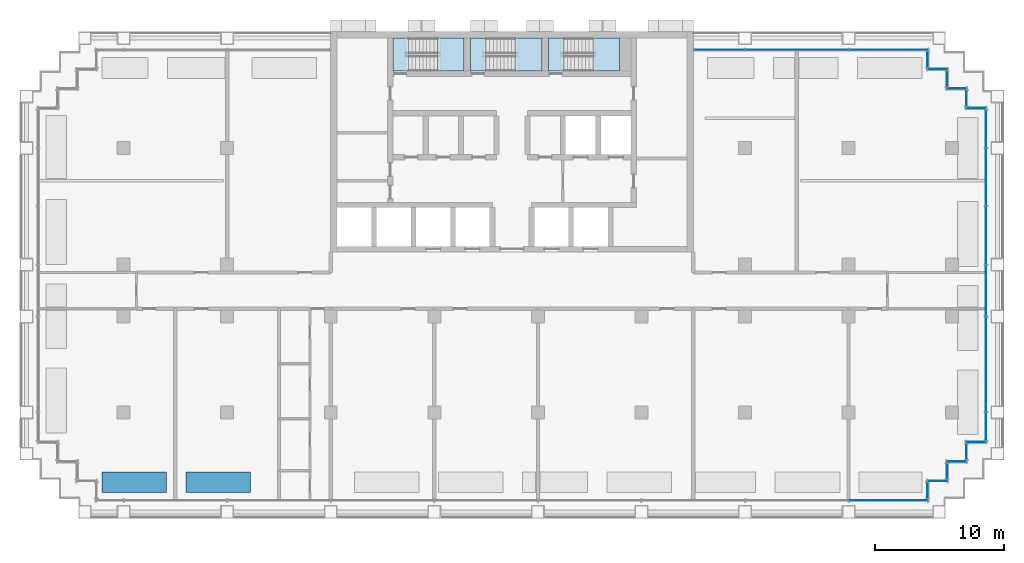
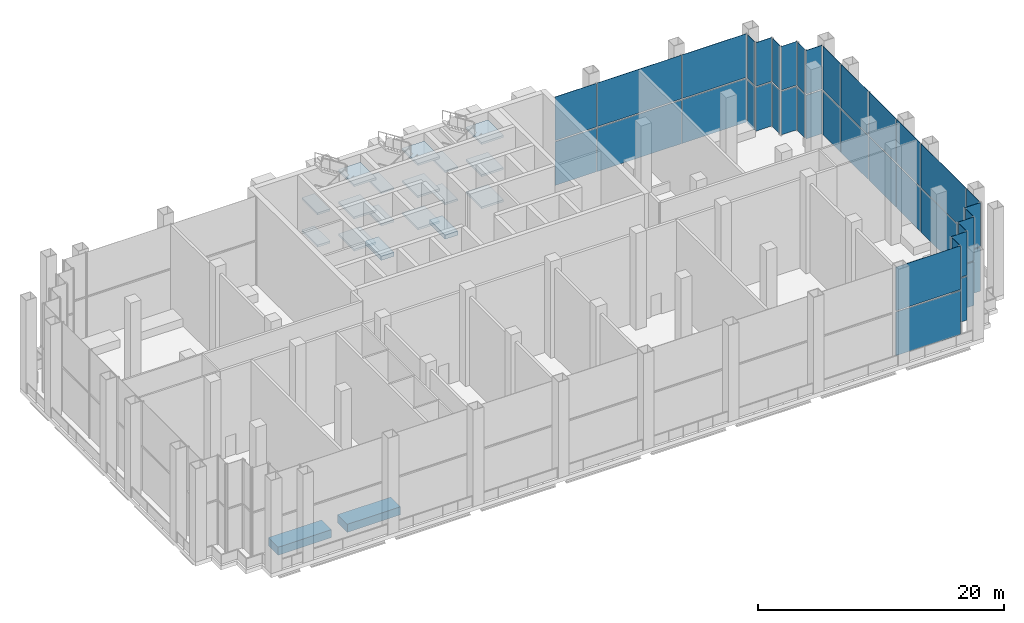
# One storey, part 8 of 16: 44 plates, 17 slabs, 2 walls, 18 elements without a shape of their own.
"""IFC4 building model written with IfcOpenShell, lengths in metres."""

from ifc_helpers import new_model, si_unit, direction, frame, frame_2d, origin, origin_2d, place, context, subcontext, project, spatial, polyline, rectangle, outline, extrude, material, layer, layer_set, type_object, element, aggregate, save


model = new_model("IFC4")

# Units and contexts
model_context = context("Model", 3, precision=1e-05, world=origin(), true_north=direction((0.0, 1.0)))
body_context = subcontext(model_context, "Body", "Model", "MODEL_VIEW")
ifc_project = project(units=[si_unit("LENGTHUNIT", "METRE"), si_unit("AREAUNIT", "SQUARE_METRE"), si_unit("VOLUMEUNIT", "CUBIC_METRE"), si_unit("PLANEANGLEUNIT", "RADIAN"), si_unit("MASSUNIT", "GRAM", prefix="KILO")], contexts=[model_context])

# Site, building, storey
site_placement = place(None, origin())
site = spatial("IfcSite", under=ifc_project, at=site_placement, CompositionType="ELEMENT")
building_placement = place(site_placement, origin())
building = spatial("IfcBuilding", under=site, at=building_placement, Name="Vidyagriha Tower", CompositionType="ELEMENT")
storey_placement = place(building_placement, frame((0.0, 0.0, 64.0)))
storey = spatial("IfcBuildingStorey", under=building, at=storey_placement, Name="L17", CompositionType="ELEMENT", Elevation=64.0)

# Slabs
ifc_material_1 = material(Name="Concrete C40/50", Category="concrete")
ifc_layer_1 = layer(ifc_material_1, 0.39990234375)
ifc_layer_set_1 = layer_set([ifc_layer_1], Name="Concrete C40/50")
slab_type_1 = type_object("IfcSlabType", Name="Exit stair floor landing 400 mm", PredefinedType="LANDING", material=ifc_layer_set_1)
slab_1_placement = place(storey_placement, frame((0.0, 0.0, -0.39990234375)))
element("IfcSlab", 1, at=slab_1_placement, inside=storey, type_object=slab_type_1, Name="ST2 floor landing L17", PredefinedType="LANDING", context=body_context, shape_type="SweptSolid", body=[
    extrude(outline(polyline([(-3.199951171875, 16.949951171875), (-2.0, 16.949951171875), (-2.0, 19.5), (-3.199951171875, 19.5), (-3.199951171875, 16.949951171875)])), origin(), (0.0, 0.0, 1.0), 0.39990234375),
])
slab_2_placement = place(storey_placement, frame((0.0, 0.0, -0.39990234375)))
element("IfcSlab", 2, at=slab_2_placement, inside=storey, type_object=slab_type_1, Name="ST3 floor landing L17", PredefinedType="LANDING", context=body_context, shape_type="SweptSolid", body=[
    extrude(outline(polyline([(2.800048828125, 16.949951171875), (4.0, 16.949951171875), (4.0, 19.5), (2.800048828125, 19.5), (2.800048828125, 16.949951171875)])), origin(), (0.0, 0.0, 1.0), 0.39990234375),
])

# Stair, slabs
ifc_material_2 = material(Name="Concrete C40/50", Category="concrete")
stair_type = type_object("IfcStairType", Name="Exit stair, half-turn, precast flights", PredefinedType="HALF_TURN_STAIR", material=ifc_material_2)
stair_1_placement = place(storey_placement, origin())
stair_1 = element("IfcStair", 3, at=stair_1_placement, inside=storey, type_object=stair_type, Name="L17 Exit Stair ST1", PredefinedType="HALF_TURN_STAIR")
ifc_material_3 = material(Name="Concrete C40/50", Category="concrete")
ifc_layer_2 = layer(ifc_material_3, 0.199951171875)
ifc_layer_set_2 = layer_set([ifc_layer_2], Name="Concrete C40/50")
slab_type_2 = type_object("IfcSlabType", Name="Exit stair landing 200 mm", PredefinedType="LANDING", material=ifc_layer_set_2)
slab_3_placement = place(storey_placement, frame((0.0, 0.0, 1.39990234375)))
slab_3 = element("IfcSlab", 4, at=slab_3_placement, type_object=slab_type_2, Name="ST1 landing 1", PredefinedType="LANDING", context=body_context, shape_type="SweptSolid", body=[
    extrude(outline(polyline([(-5.760009765625, 16.949951171875), (-3.699951171875, 16.949951171875), (-3.699951171875, 19.5), (-5.760009765625, 19.5), (-5.760009765625, 16.949951171875)])), origin(), (0.0, 0.0, 1.0), 0.2001953125),
])
slab_4_placement = place(storey_placement, frame((0.0, 0.0, 3.0)))
slab_4 = element("IfcSlab", 5, at=slab_4_placement, type_object=slab_type_2, Name="ST1 landing 2", PredefinedType="LANDING", context=body_context, shape_type="SweptSolid", body=[
    extrude(outline(polyline([(-9.199951171875, 16.949951171875), (-8.0, 16.949951171875), (-8.0, 19.5), (-9.199951171875, 19.5), (-9.199951171875, 16.949951171875)])), origin(), (0.0, 0.0, 1.0), 0.199951171875),
])
slab_5_placement = place(storey_placement, frame((0.0, 0.0, 4.60009765625)))
slab_5 = element("IfcSlab", 6, at=slab_5_placement, type_object=slab_type_2, Name="ST1 landing 3", PredefinedType="LANDING", context=body_context, shape_type="SweptSolid", body=[
    extrude(outline(polyline([(-5.760009765625, 16.949951171875), (-3.699951171875, 16.949951171875), (-3.699951171875, 19.5), (-5.760009765625, 19.5), (-5.760009765625, 16.949951171875)])), origin(), (0.0, 0.0, 1.0), 0.199951171875),
])
slab_6_placement = place(storey_placement, frame((0.0, 0.0, 6.199951171875)))
slab_6 = element("IfcSlab", 7, at=slab_6_placement, type_object=slab_type_2, Name="ST1 landing 4", PredefinedType="LANDING", context=body_context, shape_type="SweptSolid", body=[
    extrude(outline(polyline([(-9.199951171875, 16.949951171875), (-8.0, 16.949951171875), (-8.0, 19.5), (-9.199951171875, 19.5), (-9.199951171875, 16.949951171875)])), origin(), (0.0, 0.0, 1.0), 0.199951171875),
])
slab_7_placement = place(storey_placement, frame((0.0, 0.0, 7.800048828125)))
slab_7 = element("IfcSlab", 8, at=slab_7_placement, type_object=slab_type_2, Name="ST1 landing 5", PredefinedType="LANDING", context=body_context, shape_type="SweptSolid", body=[
    extrude(outline(polyline([(-5.760009765625, 16.949951171875), (-3.699951171875, 16.949951171875), (-3.699951171875, 19.5), (-5.760009765625, 19.5), (-5.760009765625, 16.949951171875)])), origin(), (0.0, 0.0, 1.0), 0.199951171875),
])
aggregate(stair_1, [slab_3, slab_4, slab_5, slab_6, slab_7])

stair_2_placement = place(storey_placement, origin())
stair_2 = element("IfcStair", 9, at=stair_2_placement, inside=storey, type_object=stair_type, Name="L17 Exit Stair ST2", PredefinedType="HALF_TURN_STAIR")
slab_8_placement = place(storey_placement, frame((0.0, 0.0, 1.39990234375)))
slab_8 = element("IfcSlab", 10, at=slab_8_placement, type_object=slab_type_2, Name="ST2 landing 1", PredefinedType="LANDING", context=body_context, shape_type="SweptSolid", body=[
    extrude(outline(polyline([(0.239990234375, 16.949951171875), (2.300048828125, 16.949951171875), (2.300048828125, 19.5), (0.239990234375, 19.5), (0.239990234375, 16.949951171875)])), origin(), (0.0, 0.0, 1.0), 0.2001953125),
])
slab_9_placement = place(storey_placement, frame((0.0, 0.0, 3.0)))
slab_9 = element("IfcSlab", 11, at=slab_9_placement, type_object=slab_type_2, Name="ST2 landing 2", PredefinedType="LANDING", context=body_context, shape_type="SweptSolid", body=[
    extrude(outline(polyline([(-3.199951171875, 16.949951171875), (-2.0, 16.949951171875), (-2.0, 19.5), (-3.199951171875, 19.5), (-3.199951171875, 16.949951171875)])), origin(), (0.0, 0.0, 1.0), 0.199951171875),
])
slab_10_placement = place(storey_placement, frame((0.0, 0.0, 4.60009765625)))
slab_10 = element("IfcSlab", 12, at=slab_10_placement, type_object=slab_type_2, Name="ST2 landing 3", PredefinedType="LANDING", context=body_context, shape_type="SweptSolid", body=[
    extrude(outline(polyline([(0.239990234375, 16.949951171875), (2.300048828125, 16.949951171875), (2.300048828125, 19.5), (0.239990234375, 19.5), (0.239990234375, 16.949951171875)])), origin(), (0.0, 0.0, 1.0), 0.199951171875),
])
slab_11_placement = place(storey_placement, frame((0.0, 0.0, 6.199951171875)))
slab_11 = element("IfcSlab", 13, at=slab_11_placement, type_object=slab_type_2, Name="ST2 landing 4", PredefinedType="LANDING", context=body_context, shape_type="SweptSolid", body=[
    extrude(outline(polyline([(-3.199951171875, 16.949951171875), (-2.0, 16.949951171875), (-2.0, 19.5), (-3.199951171875, 19.5), (-3.199951171875, 16.949951171875)])), origin(), (0.0, 0.0, 1.0), 0.199951171875),
])
slab_12_placement = place(storey_placement, frame((0.0, 0.0, 7.800048828125)))
slab_12 = element("IfcSlab", 14, at=slab_12_placement, type_object=slab_type_2, Name="ST2 landing 5", PredefinedType="LANDING", context=body_context, shape_type="SweptSolid", body=[
    extrude(outline(polyline([(0.239990234375, 16.949951171875), (2.300048828125, 16.949951171875), (2.300048828125, 19.5), (0.239990234375, 19.5), (0.239990234375, 16.949951171875)])), origin(), (0.0, 0.0, 1.0), 0.199951171875),
])
aggregate(stair_2, [slab_8, slab_9, slab_10, slab_11, slab_12])

stair_3_placement = place(storey_placement, origin())
stair_3 = element("IfcStair", 15, at=stair_3_placement, inside=storey, type_object=stair_type, Name="L17 Exit Stair ST3", PredefinedType="HALF_TURN_STAIR")
slab_13_placement = place(storey_placement, frame((0.0, 0.0, 1.39990234375)))
slab_13 = element("IfcSlab", 16, at=slab_13_placement, type_object=slab_type_2, Name="ST3 landing 1", PredefinedType="LANDING", context=body_context, shape_type="SweptSolid", body=[
    extrude(outline(polyline([(6.239990234375, 16.949951171875), (8.300048828125, 16.949951171875), (8.300048828125, 19.5), (6.239990234375, 19.5), (6.239990234375, 16.949951171875)])), origin(), (0.0, 0.0, 1.0), 0.2001953125),
])
slab_14_placement = place(storey_placement, frame((0.0, 0.0, 3.0)))
slab_14 = element("IfcSlab", 17, at=slab_14_placement, type_object=slab_type_2, Name="ST3 landing 2", PredefinedType="LANDING", context=body_context, shape_type="SweptSolid", body=[
    extrude(outline(polyline([(2.800048828125, 16.949951171875), (4.0, 16.949951171875), (4.0, 19.5), (2.800048828125, 19.5), (2.800048828125, 16.949951171875)])), origin(), (0.0, 0.0, 1.0), 0.199951171875),
])
slab_15_placement = place(storey_placement, frame((0.0, 0.0, 4.60009765625)))
slab_15 = element("IfcSlab", 18, at=slab_15_placement, type_object=slab_type_2, Name="ST3 landing 3", PredefinedType="LANDING", context=body_context, shape_type="SweptSolid", body=[
    extrude(outline(polyline([(6.239990234375, 16.949951171875), (8.300048828125, 16.949951171875), (8.300048828125, 19.5), (6.239990234375, 19.5), (6.239990234375, 16.949951171875)])), origin(), (0.0, 0.0, 1.0), 0.199951171875),
])
slab_16_placement = place(storey_placement, frame((0.0, 0.0, 6.199951171875)))
slab_16 = element("IfcSlab", 19, at=slab_16_placement, type_object=slab_type_2, Name="ST3 landing 4", PredefinedType="LANDING", context=body_context, shape_type="SweptSolid", body=[
    extrude(outline(polyline([(2.800048828125, 16.949951171875), (4.0, 16.949951171875), (4.0, 19.5), (2.800048828125, 19.5), (2.800048828125, 16.949951171875)])), origin(), (0.0, 0.0, 1.0), 0.199951171875),
])
slab_17_placement = place(storey_placement, frame((0.0, 0.0, 7.800048828125)))
slab_17 = element("IfcSlab", 20, at=slab_17_placement, type_object=slab_type_2, Name="ST3 landing 5", PredefinedType="LANDING", context=body_context, shape_type="SweptSolid", body=[
    extrude(outline(polyline([(6.239990234375, 16.949951171875), (8.300048828125, 16.949951171875), (8.300048828125, 19.5), (6.239990234375, 19.5), (6.239990234375, 16.949951171875)])), origin(), (0.0, 0.0, 1.0), 0.199951171875),
])
aggregate(stair_3, [slab_13, slab_14, slab_15, slab_16, slab_17])

# Curtain wall, plates
ifc_material_4 = material(Name="Aluminium and glass curtain wall", Category="aluminium")
curtain_wall_type = type_object("IfcCurtainWallType", Name="Winter garden glazing wall", PredefinedType="USERDEFINED", material=ifc_material_4)
curtain_wall_1_placement = place(storey_placement, origin())
curtain_wall_1 = element("IfcCurtainWall", 21, at=curtain_wall_1_placement, inside=storey, type_object=curtain_wall_type, Name="CW3 winter garden glazing", ObjectType="STICK GLAZING", PredefinedType="USERDEFINED")
ifc_material_5 = material(Name="Laminated green-tint solar-control glass", Category="glass")
ifc_layer_3 = layer(ifc_material_5, 0.031982421875)
ifc_layer_set_3 = layer_set([ifc_layer_3], Name="Laminated green-tint solar-control glass")
plate_type = type_object("IfcPlateType", Name="Green-tint winter garden glass panel", PredefinedType="CURTAIN_PANEL", material=ifc_layer_set_3)
plate_1_placement = place(storey_placement, frame((35.85009765625, 14.10009765625, 0.0), z_axis=(0.0, 0.0, 1.0), x_axis=(-1.0, 0.0, 0.0)))
plate_1 = element("IfcPlate", 22, at=plate_1_placement, type_object=plate_type, Name="CW3 panel 1.1", PredefinedType="CURTAIN_PANEL", context=body_context, shape_type="SweptSolid", body=[
    extrude(rectangle(XDim=1.5, YDim=0.031982421875, at=origin_2d()), origin(), (0.0, 0.0, 1.0), 4.340087890625),
])
plate_2_placement = place(storey_placement, frame((35.85009765625, 14.10009765625, 4.4599609375), z_axis=(0.0, 0.0, 1.0), x_axis=(-1.0, 0.0, 0.0)))
plate_2 = element("IfcPlate", 23, at=plate_2_placement, type_object=plate_type, Name="CW3 panel 1.2", PredefinedType="CURTAIN_PANEL", context=body_context, shape_type="SweptSolid", body=[
    extrude(rectangle(XDim=1.5, YDim=0.031982421875, at=origin_2d()), origin(), (0.0, 0.0, 1.0), 4.340087890625),
])
aggregate(curtain_wall_1, [plate_1, plate_2])

curtain_wall_2_placement = place(storey_placement, origin())
curtain_wall_2 = element("IfcCurtainWall", 24, at=curtain_wall_2_placement, inside=storey, type_object=curtain_wall_type, Name="CW3 winter garden glazing", ObjectType="STICK GLAZING", PredefinedType="USERDEFINED")
plate_3_placement = place(storey_placement, frame((35.10009765625, 14.85009765625, 0.0), z_axis=(0.0, 0.0, 1.0), x_axis=(0.0, 1.0, 0.0)))
plate_3 = element("IfcPlate", 25, at=plate_3_placement, type_object=plate_type, Name="CW3 panel 1.1", PredefinedType="CURTAIN_PANEL", context=body_context, shape_type="SweptSolid", body=[
    extrude(rectangle(XDim=1.179931640625, YDim=0.031982421875, at=origin_2d()), origin(), (0.0, 0.0, 1.0), 4.340087890625),
])
plate_4_placement = place(storey_placement, frame((35.10009765625, 14.85009765625, 4.4599609375), z_axis=(0.0, 0.0, 1.0), x_axis=(0.0, 1.0, 0.0)))
plate_4 = element("IfcPlate", 26, at=plate_4_placement, type_object=plate_type, Name="CW3 panel 1.2", PredefinedType="CURTAIN_PANEL", context=body_context, shape_type="SweptSolid", body=[
    extrude(rectangle(XDim=1.179931640625, YDim=0.031982421875, at=origin_2d()), origin(), (0.0, 0.0, 1.0), 4.340087890625),
])
aggregate(curtain_wall_2, [plate_3, plate_4])

curtain_wall_3_placement = place(storey_placement, origin())
curtain_wall_3 = element("IfcCurtainWall", 27, at=curtain_wall_3_placement, inside=storey, type_object=curtain_wall_type, Name="CW3 winter garden glazing", ObjectType="STICK GLAZING", PredefinedType="USERDEFINED")
plate_5_placement = place(storey_placement, frame((34.35009765625, 15.60009765625, 0.0), z_axis=(0.0, 0.0, 1.0), x_axis=(-1.0, 0.0, 0.0)))
plate_5 = element("IfcPlate", 28, at=plate_5_placement, type_object=plate_type, Name="CW3 panel 1.1", PredefinedType="CURTAIN_PANEL", context=body_context, shape_type="SweptSolid", body=[
    extrude(rectangle(XDim=1.5, YDim=0.031982421875, at=origin_2d()), origin(), (0.0, 0.0, 1.0), 4.340087890625),
])
plate_6_placement = place(storey_placement, frame((34.35009765625, 15.60009765625, 4.4599609375), z_axis=(0.0, 0.0, 1.0), x_axis=(-1.0, 0.0, 0.0)))
plate_6 = element("IfcPlate", 29, at=plate_6_placement, type_object=plate_type, Name="CW3 panel 1.2", PredefinedType="CURTAIN_PANEL", context=body_context, shape_type="SweptSolid", body=[
    extrude(rectangle(XDim=1.5, YDim=0.031982421875, at=origin_2d()), origin(), (0.0, 0.0, 1.0), 4.340087890625),
])
aggregate(curtain_wall_3, [plate_5, plate_6])

curtain_wall_4_placement = place(storey_placement, origin())
curtain_wall_4 = element("IfcCurtainWall", 30, at=curtain_wall_4_placement, inside=storey, type_object=curtain_wall_type, Name="CW3 winter garden glazing", ObjectType="STICK GLAZING", PredefinedType="USERDEFINED")
plate_7_placement = place(storey_placement, frame((33.60009765625, 16.35009765625, 0.0), z_axis=(0.0, 0.0, 1.0), x_axis=(0.0, 1.0, 0.0)))
plate_7 = element("IfcPlate", 31, at=plate_7_placement, type_object=plate_type, Name="CW3 panel 1.1", PredefinedType="CURTAIN_PANEL", context=body_context, shape_type="SweptSolid", body=[
    extrude(rectangle(XDim=1.179931640625, YDim=0.031982421875, at=origin_2d()), origin(), (0.0, 0.0, 1.0), 4.340087890625),
])
plate_8_placement = place(storey_placement, frame((33.60009765625, 16.35009765625, 4.4599609375), z_axis=(0.0, 0.0, 1.0), x_axis=(0.0, 1.0, 0.0)))
plate_8 = element("IfcPlate", 32, at=plate_8_placement, type_object=plate_type, Name="CW3 panel 1.2", PredefinedType="CURTAIN_PANEL", context=body_context, shape_type="SweptSolid", body=[
    extrude(rectangle(XDim=1.179931640625, YDim=0.031982421875, at=origin_2d()), origin(), (0.0, 0.0, 1.0), 4.340087890625),
])
aggregate(curtain_wall_4, [plate_7, plate_8])

curtain_wall_5_placement = place(storey_placement, origin())
curtain_wall_5 = element("IfcCurtainWall", 33, at=curtain_wall_5_placement, inside=storey, type_object=curtain_wall_type, Name="CW3 winter garden glazing", ObjectType="STICK GLAZING", PredefinedType="USERDEFINED")
plate_9_placement = place(storey_placement, frame((32.85009765625, 17.10009765625, 0.0), z_axis=(0.0, 0.0, 1.0), x_axis=(-1.0, 0.0, 0.0)))
plate_9 = element("IfcPlate", 34, at=plate_9_placement, type_object=plate_type, Name="CW3 panel 1.1", PredefinedType="CURTAIN_PANEL", context=body_context, shape_type="SweptSolid", body=[
    extrude(rectangle(XDim=1.5, YDim=0.031982421875, at=origin_2d()), origin(), (0.0, 0.0, 1.0), 4.340087890625),
])
plate_10_placement = place(storey_placement, frame((32.85009765625, 17.10009765625, 4.4599609375), z_axis=(0.0, 0.0, 1.0), x_axis=(-1.0, 0.0, 0.0)))
plate_10 = element("IfcPlate", 35, at=plate_10_placement, type_object=plate_type, Name="CW3 panel 1.2", PredefinedType="CURTAIN_PANEL", context=body_context, shape_type="SweptSolid", body=[
    extrude(rectangle(XDim=1.5, YDim=0.031982421875, at=origin_2d()), origin(), (0.0, 0.0, 1.0), 4.340087890625),
])
aggregate(curtain_wall_5, [plate_9, plate_10])

curtain_wall_6_placement = place(storey_placement, origin())
curtain_wall_6 = element("IfcCurtainWall", 36, at=curtain_wall_6_placement, inside=storey, type_object=curtain_wall_type, Name="CW3 winter garden glazing", ObjectType="STICK GLAZING", PredefinedType="USERDEFINED")
plate_11_placement = place(storey_placement, frame((32.10009765625, 17.85009765625, 0.0), z_axis=(0.0, 0.0, 1.0), x_axis=(0.0, 1.0, 0.0)))
plate_11 = element("IfcPlate", 37, at=plate_11_placement, type_object=plate_type, Name="CW3 panel 1.1", PredefinedType="CURTAIN_PANEL", context=body_context, shape_type="SweptSolid", body=[
    extrude(rectangle(XDim=1.179931640625, YDim=0.031982421875, at=origin_2d()), origin(), (0.0, 0.0, 1.0), 4.340087890625),
])
plate_12_placement = place(storey_placement, frame((32.10009765625, 17.85009765625, 4.4599609375), z_axis=(0.0, 0.0, 1.0), x_axis=(0.0, 1.0, 0.0)))
plate_12 = element("IfcPlate", 38, at=plate_12_placement, type_object=plate_type, Name="CW3 panel 1.2", PredefinedType="CURTAIN_PANEL", context=body_context, shape_type="SweptSolid", body=[
    extrude(rectangle(XDim=1.179931640625, YDim=0.031982421875, at=origin_2d()), origin(), (0.0, 0.0, 1.0), 4.340087890625),
])
aggregate(curtain_wall_6, [plate_11, plate_12])

curtain_wall_7_placement = place(storey_placement, origin())
curtain_wall_7 = element("IfcCurtainWall", 39, at=curtain_wall_7_placement, inside=storey, type_object=curtain_wall_type, Name="CW3 winter garden glazing", ObjectType="STICK GLAZING", PredefinedType="USERDEFINED")
plate_13_placement = place(storey_placement, frame((29.070068359375, 18.60009765625, 0.0), z_axis=(0.0, 0.0, 1.0), x_axis=(-1.0, 0.0, 0.0)))
plate_13 = element("IfcPlate", 40, at=plate_13_placement, type_object=plate_type, Name="CW3 panel 1.1", PredefinedType="CURTAIN_PANEL", context=body_context, shape_type="SweptSolid", body=[
    extrude(rectangle(XDim=6.06005859375, YDim=0.031982421875, at=origin_2d()), origin(), (0.0, 0.0, 1.0), 4.340087890625),
])
plate_14_placement = place(storey_placement, frame((29.070068359375, 18.60009765625, 4.4599609375), z_axis=(0.0, 0.0, 1.0), x_axis=(-1.0, 0.0, 0.0)))
plate_14 = element("IfcPlate", 41, at=plate_14_placement, type_object=plate_type, Name="CW3 panel 1.2", PredefinedType="CURTAIN_PANEL", context=body_context, shape_type="SweptSolid", body=[
    extrude(rectangle(XDim=6.06005859375, YDim=0.031982421875, at=origin_2d()), origin(), (0.0, 0.0, 1.0), 4.340087890625),
])
plate_15_placement = place(storey_placement, frame((22.0, 18.60009765625, 0.0), z_axis=(0.0, 0.0, 1.0), x_axis=(-1.0, 0.0, 0.0)))
plate_15 = element("IfcPlate", 42, at=plate_15_placement, type_object=plate_type, Name="CW3 panel 2.1", PredefinedType="CURTAIN_PANEL", context=body_context, shape_type="SweptSolid", body=[
    extrude(rectangle(XDim=7.919921875, YDim=0.031982421875, at=origin_2d()), origin(), (0.0, 0.0, 1.0), 4.340087890625),
])
plate_16_placement = place(storey_placement, frame((22.0, 18.60009765625, 4.4599609375), z_axis=(0.0, 0.0, 1.0), x_axis=(-1.0, 0.0, 0.0)))
plate_16 = element("IfcPlate", 43, at=plate_16_placement, type_object=plate_type, Name="CW3 panel 2.2", PredefinedType="CURTAIN_PANEL", context=body_context, shape_type="SweptSolid", body=[
    extrude(rectangle(XDim=7.919921875, YDim=0.031982421875, at=origin_2d()), origin(), (0.0, 0.0, 1.0), 4.340087890625),
])
plate_17_placement = place(storey_placement, frame((16.02001953125, 18.60009765625, 0.0), z_axis=(0.0, 0.0, 1.0), x_axis=(-1.0, 0.0, 0.0)))
plate_17 = element("IfcPlate", 44, at=plate_17_placement, type_object=plate_type, Name="CW3 panel 3.1", PredefinedType="CURTAIN_PANEL", context=body_context, shape_type="SweptSolid", body=[
    extrude(rectangle(XDim=3.8798828125, YDim=0.031982421875, at=origin_2d()), origin(), (0.0, 0.0, 1.0), 4.340087890625),
])
plate_18_placement = place(storey_placement, frame((16.02001953125, 18.60009765625, 4.4599609375), z_axis=(0.0, 0.0, 1.0), x_axis=(-1.0, 0.0, 0.0)))
plate_18 = element("IfcPlate", 45, at=plate_18_placement, type_object=plate_type, Name="CW3 panel 3.2", PredefinedType="CURTAIN_PANEL", context=body_context, shape_type="SweptSolid", body=[
    extrude(rectangle(XDim=3.8798828125, YDim=0.031982421875, at=origin_2d()), origin(), (0.0, 0.0, 1.0), 4.340087890625),
])
aggregate(curtain_wall_7, [plate_13, plate_14, plate_15, plate_16, plate_17, plate_18])

curtain_wall_8_placement = place(storey_placement, origin())
curtain_wall_8 = element("IfcCurtainWall", 46, at=curtain_wall_8_placement, inside=storey, type_object=curtain_wall_type, Name="CW3 winter garden glazing", ObjectType="STICK GLAZING", PredefinedType="USERDEFINED")
plate_19_placement = place(storey_placement, frame((29.070068359375, -16.199951171875, 0.0)))
plate_19 = element("IfcPlate", 47, at=plate_19_placement, type_object=plate_type, Name="CW3 panel 9.1", PredefinedType="CURTAIN_PANEL", context=body_context, shape_type="SweptSolid", body=[
    extrude(rectangle(XDim=6.06005859375, YDim=0.031982421875, at=origin_2d()), origin(), (0.0, 0.0, 1.0), 4.340087890625),
])
plate_20_placement = place(storey_placement, frame((29.070068359375, -16.199951171875, 4.4599609375)))
plate_20 = element("IfcPlate", 48, at=plate_20_placement, type_object=plate_type, Name="CW3 panel 9.2", PredefinedType="CURTAIN_PANEL", context=body_context, shape_type="SweptSolid", body=[
    extrude(rectangle(XDim=6.06005859375, YDim=0.031982421875, at=origin_2d()), origin(), (0.0, 0.0, 1.0), 4.340087890625),
])
aggregate(curtain_wall_8, [plate_19, plate_20])

curtain_wall_9_placement = place(storey_placement, origin())
curtain_wall_9 = element("IfcCurtainWall", 49, at=curtain_wall_9_placement, inside=storey, type_object=curtain_wall_type, Name="CW3 winter garden glazing", ObjectType="STICK GLAZING", PredefinedType="USERDEFINED")
plate_21_placement = place(storey_placement, frame((32.10009765625, -15.449951171875, 0.0), z_axis=(0.0, 0.0, 1.0), x_axis=(0.0, 1.0, 0.0)))
plate_21 = element("IfcPlate", 50, at=plate_21_placement, type_object=plate_type, Name="CW3 panel 1.1", PredefinedType="CURTAIN_PANEL", context=body_context, shape_type="SweptSolid", body=[
    extrude(rectangle(XDim=1.179931640625, YDim=0.031982421875, at=origin_2d()), origin(), (0.0, 0.0, 1.0), 4.340087890625),
])
plate_22_placement = place(storey_placement, frame((32.10009765625, -15.449951171875, 4.4599609375), z_axis=(0.0, 0.0, 1.0), x_axis=(0.0, 1.0, 0.0)))
plate_22 = element("IfcPlate", 51, at=plate_22_placement, type_object=plate_type, Name="CW3 panel 1.2", PredefinedType="CURTAIN_PANEL", context=body_context, shape_type="SweptSolid", body=[
    extrude(rectangle(XDim=1.179931640625, YDim=0.031982421875, at=origin_2d()), origin(), (0.0, 0.0, 1.0), 4.340087890625),
])
aggregate(curtain_wall_9, [plate_21, plate_22])

curtain_wall_10_placement = place(storey_placement, origin())
curtain_wall_10 = element("IfcCurtainWall", 52, at=curtain_wall_10_placement, inside=storey, type_object=curtain_wall_type, Name="CW3 winter garden glazing", ObjectType="STICK GLAZING", PredefinedType="USERDEFINED")
plate_23_placement = place(storey_placement, frame((32.85009765625, -14.699951171875, 0.0)))
plate_23 = element("IfcPlate", 53, at=plate_23_placement, type_object=plate_type, Name="CW3 panel 1.1", PredefinedType="CURTAIN_PANEL", context=body_context, shape_type="SweptSolid", body=[
    extrude(rectangle(XDim=1.5, YDim=0.031982421875, at=origin_2d()), origin(), (0.0, 0.0, 1.0), 4.340087890625),
])
plate_24_placement = place(storey_placement, frame((32.85009765625, -14.699951171875, 4.4599609375)))
plate_24 = element("IfcPlate", 54, at=plate_24_placement, type_object=plate_type, Name="CW3 panel 1.2", PredefinedType="CURTAIN_PANEL", context=body_context, shape_type="SweptSolid", body=[
    extrude(rectangle(XDim=1.5, YDim=0.031982421875, at=origin_2d()), origin(), (0.0, 0.0, 1.0), 4.340087890625),
])
aggregate(curtain_wall_10, [plate_23, plate_24])

curtain_wall_11_placement = place(storey_placement, origin())
curtain_wall_11 = element("IfcCurtainWall", 55, at=curtain_wall_11_placement, inside=storey, type_object=curtain_wall_type, Name="CW3 winter garden glazing", ObjectType="STICK GLAZING", PredefinedType="USERDEFINED")
plate_25_placement = place(storey_placement, frame((33.60009765625, -13.949951171875, 0.0), z_axis=(0.0, 0.0, 1.0), x_axis=(0.0, 1.0, 0.0)))
plate_25 = element("IfcPlate", 56, at=plate_25_placement, type_object=plate_type, Name="CW3 panel 1.1", PredefinedType="CURTAIN_PANEL", context=body_context, shape_type="SweptSolid", body=[
    extrude(rectangle(XDim=1.179931640625, YDim=0.031982421875, at=origin_2d()), origin(), (0.0, 0.0, 1.0), 4.340087890625),
])
plate_26_placement = place(storey_placement, frame((33.60009765625, -13.949951171875, 4.4599609375), z_axis=(0.0, 0.0, 1.0), x_axis=(0.0, 1.0, 0.0)))
plate_26 = element("IfcPlate", 57, at=plate_26_placement, type_object=plate_type, Name="CW3 panel 1.2", PredefinedType="CURTAIN_PANEL", context=body_context, shape_type="SweptSolid", body=[
    extrude(rectangle(XDim=1.179931640625, YDim=0.031982421875, at=origin_2d()), origin(), (0.0, 0.0, 1.0), 4.340087890625),
])
aggregate(curtain_wall_11, [plate_25, plate_26])

curtain_wall_12_placement = place(storey_placement, origin())
curtain_wall_12 = element("IfcCurtainWall", 58, at=curtain_wall_12_placement, inside=storey, type_object=curtain_wall_type, Name="CW3 winter garden glazing", ObjectType="STICK GLAZING", PredefinedType="USERDEFINED")
plate_27_placement = place(storey_placement, frame((34.35009765625, -13.199951171875, 0.0)))
plate_27 = element("IfcPlate", 59, at=plate_27_placement, type_object=plate_type, Name="CW3 panel 1.1", PredefinedType="CURTAIN_PANEL", context=body_context, shape_type="SweptSolid", body=[
    extrude(rectangle(XDim=1.5, YDim=0.031982421875, at=origin_2d()), origin(), (0.0, 0.0, 1.0), 4.340087890625),
])
plate_28_placement = place(storey_placement, frame((34.35009765625, -13.199951171875, 4.4599609375)))
plate_28 = element("IfcPlate", 60, at=plate_28_placement, type_object=plate_type, Name="CW3 panel 1.2", PredefinedType="CURTAIN_PANEL", context=body_context, shape_type="SweptSolid", body=[
    extrude(rectangle(XDim=1.5, YDim=0.031982421875, at=origin_2d()), origin(), (0.0, 0.0, 1.0), 4.340087890625),
])
aggregate(curtain_wall_12, [plate_27, plate_28])

curtain_wall_13_placement = place(storey_placement, origin())
curtain_wall_13 = element("IfcCurtainWall", 61, at=curtain_wall_13_placement, inside=storey, type_object=curtain_wall_type, Name="CW3 winter garden glazing", ObjectType="STICK GLAZING", PredefinedType="USERDEFINED")
plate_29_placement = place(storey_placement, frame((35.10009765625, -12.449951171875, 0.0), z_axis=(0.0, 0.0, 1.0), x_axis=(0.0, 1.0, 0.0)))
plate_29 = element("IfcPlate", 62, at=plate_29_placement, type_object=plate_type, Name="CW3 panel 1.1", PredefinedType="CURTAIN_PANEL", context=body_context, shape_type="SweptSolid", body=[
    extrude(rectangle(XDim=1.179931640625, YDim=0.031982421875, at=origin_2d()), origin(), (0.0, 0.0, 1.0), 4.340087890625),
])
plate_30_placement = place(storey_placement, frame((35.10009765625, -12.449951171875, 4.4599609375), z_axis=(0.0, 0.0, 1.0), x_axis=(0.0, 1.0, 0.0)))
plate_30 = element("IfcPlate", 63, at=plate_30_placement, type_object=plate_type, Name="CW3 panel 1.2", PredefinedType="CURTAIN_PANEL", context=body_context, shape_type="SweptSolid", body=[
    extrude(rectangle(XDim=1.179931640625, YDim=0.031982421875, at=origin_2d()), origin(), (0.0, 0.0, 1.0), 4.340087890625),
])
aggregate(curtain_wall_13, [plate_29, plate_30])

curtain_wall_14_placement = place(storey_placement, origin())
curtain_wall_14 = element("IfcCurtainWall", 64, at=curtain_wall_14_placement, inside=storey, type_object=curtain_wall_type, Name="CW3 winter garden glazing", ObjectType="STICK GLAZING", PredefinedType="USERDEFINED")
plate_31_placement = place(storey_placement, frame((35.85009765625, -11.699951171875, 0.0)))
plate_31 = element("IfcPlate", 65, at=plate_31_placement, type_object=plate_type, Name="CW3 panel 1.1", PredefinedType="CURTAIN_PANEL", context=body_context, shape_type="SweptSolid", body=[
    extrude(rectangle(XDim=1.5, YDim=0.031982421875, at=origin_2d()), origin(), (0.0, 0.0, 1.0), 4.340087890625),
])
plate_32_placement = place(storey_placement, frame((35.85009765625, -11.699951171875, 4.4599609375)))
plate_32 = element("IfcPlate", 66, at=plate_32_placement, type_object=plate_type, Name="CW3 panel 1.2", PredefinedType="CURTAIN_PANEL", context=body_context, shape_type="SweptSolid", body=[
    extrude(rectangle(XDim=1.5, YDim=0.031982421875, at=origin_2d()), origin(), (0.0, 0.0, 1.0), 4.340087890625),
])
aggregate(curtain_wall_14, [plate_31, plate_32])

curtain_wall_15_placement = place(storey_placement, origin())
curtain_wall_15 = element("IfcCurtainWall", 67, at=curtain_wall_15_placement, inside=storey, type_object=curtain_wall_type, Name="CW3 winter garden glazing", ObjectType="STICK GLAZING", PredefinedType="USERDEFINED")
plate_33_placement = place(storey_placement, frame((36.60009765625, -10.489990234375, 0.0), z_axis=(0.0, 0.0, 1.0), x_axis=(0.0, 1.0, 0.0)))
plate_33 = element("IfcPlate", 68, at=plate_33_placement, type_object=plate_type, Name="CW3 panel 1.1", PredefinedType="CURTAIN_PANEL", context=body_context, shape_type="SweptSolid", body=[
    extrude(rectangle(XDim=2.10009765625, YDim=0.031982421875, at=origin_2d()), origin(), (0.0, 0.0, 1.0), 4.340087890625),
])
plate_34_placement = place(storey_placement, frame((36.60009765625, -10.489990234375, 4.4599609375), z_axis=(0.0, 0.0, 1.0), x_axis=(0.0, 1.0, 0.0)))
plate_34 = element("IfcPlate", 69, at=plate_34_placement, type_object=plate_type, Name="CW3 panel 1.2", PredefinedType="CURTAIN_PANEL", context=body_context, shape_type="SweptSolid", body=[
    extrude(rectangle(XDim=2.10009765625, YDim=0.031982421875, at=origin_2d()), origin(), (0.0, 0.0, 1.0), 4.340087890625),
])
plate_35_placement = place(storey_placement, frame((36.60009765625, -5.699951171875, 0.0), z_axis=(0.0, 0.0, 1.0), x_axis=(0.0, 1.0, 0.0)))
plate_35 = element("IfcPlate", 70, at=plate_35_placement, type_object=plate_type, Name="CW3 panel 2.1", PredefinedType="CURTAIN_PANEL", context=body_context, shape_type="SweptSolid", body=[
    extrude(rectangle(XDim=7.320068359375, YDim=0.031982421875, at=origin_2d()), origin(), (0.0, 0.0, 1.0), 4.340087890625),
])
plate_36_placement = place(storey_placement, frame((36.60009765625, -5.699951171875, 4.4599609375), z_axis=(0.0, 0.0, 1.0), x_axis=(0.0, 1.0, 0.0)))
plate_36 = element("IfcPlate", 71, at=plate_36_placement, type_object=plate_type, Name="CW3 panel 2.2", PredefinedType="CURTAIN_PANEL", context=body_context, shape_type="SweptSolid", body=[
    extrude(rectangle(XDim=7.320068359375, YDim=0.031982421875, at=origin_2d()), origin(), (0.0, 0.0, 1.0), 4.340087890625),
])
plate_37_placement = place(storey_placement, frame((36.60009765625, 0.0, 0.0), z_axis=(0.0, 0.0, 1.0), x_axis=(0.0, 1.0, 0.0)))
plate_37 = element("IfcPlate", 72, at=plate_37_placement, type_object=plate_type, Name="CW3 panel 3.1", PredefinedType="CURTAIN_PANEL", context=body_context, shape_type="SweptSolid", body=[
    extrude(rectangle(XDim=3.919921875, YDim=0.031982421875, at=origin_2d()), origin(), (0.0, 0.0, 1.0), 4.340087890625),
])
plate_38_placement = place(storey_placement, frame((36.60009765625, 0.0, 4.4599609375), z_axis=(0.0, 0.0, 1.0), x_axis=(0.0, 1.0, 0.0)))
plate_38 = element("IfcPlate", 73, at=plate_38_placement, type_object=plate_type, Name="CW3 panel 3.2", PredefinedType="CURTAIN_PANEL", context=body_context, shape_type="SweptSolid", body=[
    extrude(rectangle(XDim=3.919921875, YDim=0.031982421875, at=origin_2d()), origin(), (0.0, 0.0, 1.0), 4.340087890625),
])
plate_39_placement = place(storey_placement, frame((36.60009765625, 4.25, 0.0), z_axis=(0.0, 0.0, 1.0), x_axis=(0.0, 1.0, 0.0)))
plate_39 = element("IfcPlate", 74, at=plate_39_placement, type_object=plate_type, Name="CW3 panel 4.1", PredefinedType="CURTAIN_PANEL", context=body_context, shape_type="SweptSolid", body=[
    extrude(rectangle(XDim=4.419921875, YDim=0.031982421875, at=origin_2d()), origin(), (0.0, 0.0, 1.0), 4.340087890625),
])
plate_40_placement = place(storey_placement, frame((36.60009765625, 4.25, 4.4599609375), z_axis=(0.0, 0.0, 1.0), x_axis=(0.0, 1.0, 0.0)))
plate_40 = element("IfcPlate", 75, at=plate_40_placement, type_object=plate_type, Name="CW3 panel 4.2", PredefinedType="CURTAIN_PANEL", context=body_context, shape_type="SweptSolid", body=[
    extrude(rectangle(XDim=4.419921875, YDim=0.031982421875, at=origin_2d()), origin(), (0.0, 0.0, 1.0), 4.340087890625),
])
plate_41_placement = place(storey_placement, frame((36.60009765625, 8.75, 0.0), z_axis=(0.0, 0.0, 1.0), x_axis=(0.0, 1.0, 0.0)))
plate_41 = element("IfcPlate", 76, at=plate_41_placement, type_object=plate_type, Name="CW3 panel 5.1", PredefinedType="CURTAIN_PANEL", context=body_context, shape_type="SweptSolid", body=[
    extrude(rectangle(XDim=4.419921875, YDim=0.031982421875, at=origin_2d()), origin(), (0.0, 0.0, 1.0), 4.340087890625),
])
plate_42_placement = place(storey_placement, frame((36.60009765625, 8.75, 4.4599609375), z_axis=(0.0, 0.0, 1.0), x_axis=(0.0, 1.0, 0.0)))
plate_42 = element("IfcPlate", 77, at=plate_42_placement, type_object=plate_type, Name="CW3 panel 5.2", PredefinedType="CURTAIN_PANEL", context=body_context, shape_type="SweptSolid", body=[
    extrude(rectangle(XDim=4.419921875, YDim=0.031982421875, at=origin_2d()), origin(), (0.0, 0.0, 1.0), 4.340087890625),
])
plate_43_placement = place(storey_placement, frame((36.60009765625, 12.489990234375, 0.0), z_axis=(0.0, 0.0, 1.0), x_axis=(0.0, 1.0, 0.0)))
plate_43 = element("IfcPlate", 78, at=plate_43_placement, type_object=plate_type, Name="CW3 panel 6.1", PredefinedType="CURTAIN_PANEL", context=body_context, shape_type="SweptSolid", body=[
    extrude(rectangle(XDim=2.89990234375, YDim=0.031982421875, at=origin_2d()), origin(), (0.0, 0.0, 1.0), 4.340087890625),
])
plate_44_placement = place(storey_placement, frame((36.60009765625, 12.489990234375, 4.4599609375), z_axis=(0.0, 0.0, 1.0), x_axis=(0.0, 1.0, 0.0)))
plate_44 = element("IfcPlate", 79, at=plate_44_placement, type_object=plate_type, Name="CW3 panel 6.2", PredefinedType="CURTAIN_PANEL", context=body_context, shape_type="SweptSolid", body=[
    extrude(rectangle(XDim=2.89990234375, YDim=0.031982421875, at=origin_2d()), origin(), (0.0, 0.0, 1.0), 4.340087890625),
])
aggregate(curtain_wall_15, [plate_33, plate_34, plate_35, plate_36, plate_37, plate_38, plate_39, plate_40, plate_41, plate_42, plate_43, plate_44])

# Walls
ifc_material_6 = material(Name="Precast concrete C40/50 with brick facing", Category="concrete")
ifc_layer_4 = layer(ifc_material_6, 1.60009765625)
ifc_layer_set_4 = layer_set([ifc_layer_4], Name="Precast concrete C40/50 with brick facing")
wall_type = type_object("IfcWallType", Name="Brick planter box 1600", PredefinedType="STANDARD", material=ifc_layer_set_4)
for number, where, name in (
    (80, (-31.679931640625, -14.800048828125, 0.0), "PLANTER L17 11"),
    (81, (-25.179931640625, -14.800048828125, 0.0), "PLANTER L17 12"),
):
    element("IfcWall", number, at=place(storey_placement, frame(where)), inside=storey, type_object=wall_type, Name=name, PredefinedType="STANDARD", context=body_context, shape_type="SweptSolid", body=[
        extrude(rectangle(XDim=5.0, YDim=1.60009765625, at=frame_2d((2.5, 0.0))), origin(), (0.0, 0.0, 1.0), 0.800048828125),
    ])

save(model, "model.ifc")
